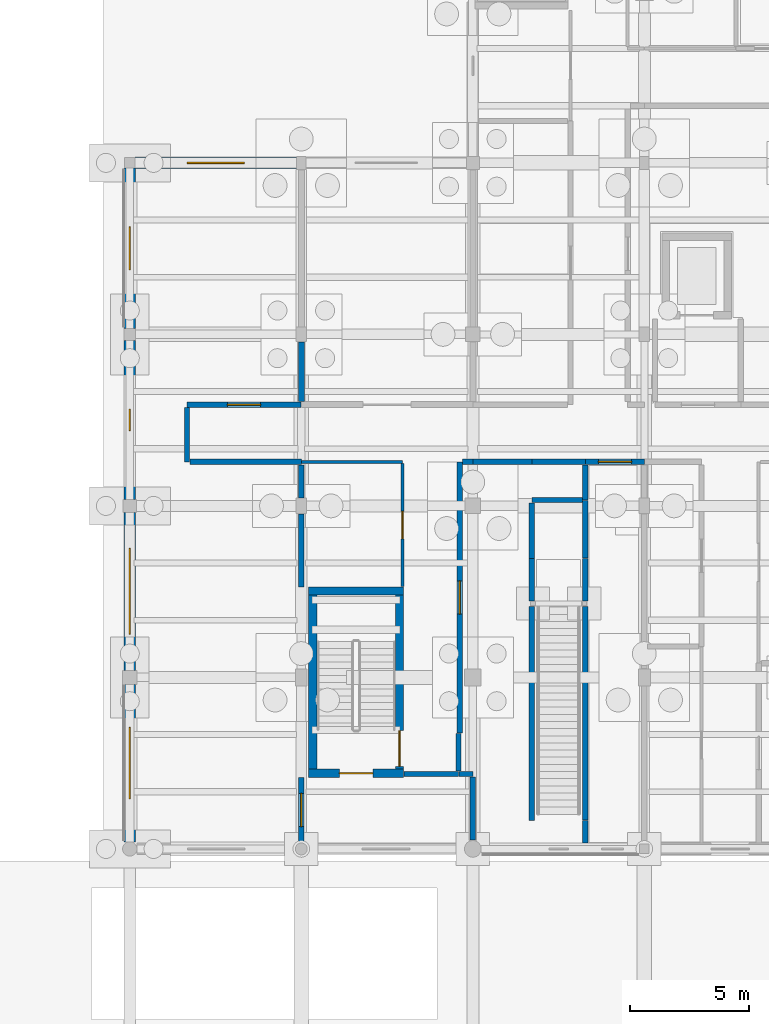
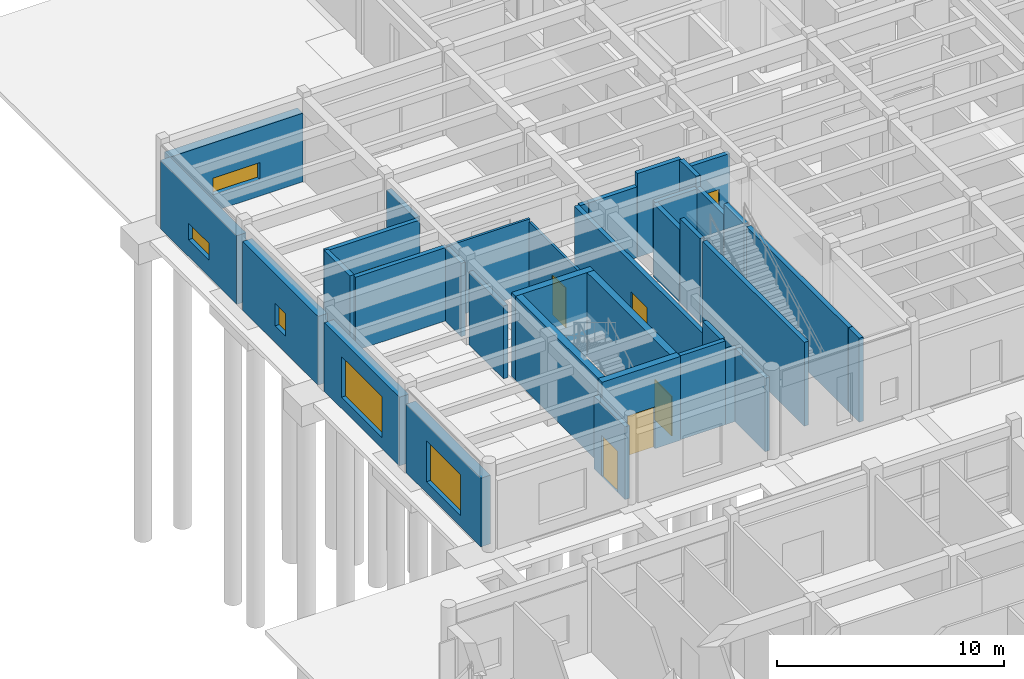
# One storey, part 105 of 143: 36 walls, 7 doors, 5 windows, 12 openings.
"""IFC4 building model written with IfcOpenShell, lengths in metres."""

from ifc_helpers import new_model, si_unit, direction, frame, frame_2d, origin, place, context, subcontext, project, spatial, rectangle, extrude, material, layer, layer_set, type_object, element, fill, save


model = new_model("IFC4")

# Units and contexts
model_context = context("Model", 3, precision=1e-05, world=origin(), true_north=direction((0.0, 1.0)))
body_context = subcontext(model_context, "Body", "Model", "MODEL_VIEW")
ifc_project = project(units=[si_unit("LENGTHUNIT", "METRE"), si_unit("AREAUNIT", "SQUARE_METRE"), si_unit("VOLUMEUNIT", "CUBIC_METRE"), si_unit("PLANEANGLEUNIT", "RADIAN"), si_unit("MASSUNIT", "GRAM", prefix="KILO")], contexts=[model_context])

# Site, building, storey
site_placement = place(None, origin())
site = spatial("IfcSite", under=ifc_project, at=site_placement, CompositionType="ELEMENT")
building_placement = place(site_placement, origin())
building = spatial("IfcBuilding", under=site, at=building_placement, Name="Steenspoor Specialist Clinic", CompositionType="ELEMENT")
storey_placement = place(building_placement, origin())
storey = spatial("IfcBuildingStorey", under=building, at=storey_placement, Name="L00", CompositionType="ELEMENT", Elevation=0.0)

# Wall, opening, window
ifc_material_1 = material(Name="Volcanic basalt ashlar masonry", Category="masonry")
ifc_layer_1 = layer(ifc_material_1, 0.47998046875)
ifc_layer_set_1 = layer_set([ifc_layer_1], Name="Volcanic basalt ashlar masonry")
wall_type_1 = type_object("IfcWallType", Name="W-BASALT-480", PredefinedType="SOLIDWALL", material=ifc_layer_set_1)
wall_1_placement = place(storey_placement, frame((15.60009765625, 65.449951171875, 0.0), z_axis=(0.0, 0.0, 1.0), x_axis=(0.0, 1.0, 0.0)))
wall_1 = element("IfcWall", 1, at=wall_1_placement, inside=storey, type_object=wall_type_1, Name="Exterior Brick Wall EW-V5-L00-0237", PredefinedType="SOLIDWALL", context=body_context, shape_type="SweptSolid", body=[
    extrude(rectangle(XDim=6.60009765625, YDim=0.47998046875, at=frame_2d((3.300048828125, 0.0))), origin(), (0.0, 0.0, 1.0), 3.699951171875),
])
opening_1_placement = place(wall_1_placement, frame((1.800048828125, 0.0, 0.60009765625)))
opening_1 = element("IfcOpeningElement", 2, at=opening_1_placement, cuts=wall_1, Name="Opening WN-19", PredefinedType="OPENING", context=body_context, shape_type="SweptSolid", body=[
    extrude(rectangle(XDim=3.0, YDim=2.199951171875, at=frame_2d((1.5, 1.10009765625))), frame((0.0, 0.25, 0.0), z_axis=(0.0, -1.0, 0.0), x_axis=(1.0, 0.0, 0.0)), (0.0, 0.0, 1.0), 0.5),
])
ifc_material_2 = material(Name="Thermally broken aluminium and low-emissivity glass", Category="aluminium")
window_type_1 = type_object("IfcWindowType", Name="WN-EXT-300X220", PartitioningType="SINGLE_PANEL", PredefinedType="WINDOW", material=ifc_material_2)
window_1_placement = place(opening_1_placement, origin())
window_1 = element("IfcWindow", 3, at=window_1_placement, inside=storey, type_object=window_type_1, Name="Window 0259", OverallHeight=2.199951171875, OverallWidth=3.0, PartitioningType="SINGLE_PANEL", PredefinedType="WINDOW", context=body_context, shape_type="SweptSolid", body=[
    extrude(rectangle(XDim=3.0, YDim=2.199951171875, at=frame_2d((1.5, 1.10009765625))), frame((0.0, 0.030029296875, 0.0), z_axis=(0.0, -1.0, 0.0), x_axis=(1.0, 0.0, 0.0)), (0.0, 0.0, 1.0), 0.06005859375),
])
fill(opening_1, window_1)

wall_2_placement = place(storey_placement, frame((15.60009765625, 72.64990234375, 0.0), z_axis=(0.0, 0.0, 1.0), x_axis=(0.0, 1.0, 0.0)))
wall_2 = element("IfcWall", 4, at=wall_2_placement, inside=storey, type_object=wall_type_1, Name="Exterior Brick Wall EW-V5-L00-0238", PredefinedType="SOLIDWALL", context=body_context, shape_type="SweptSolid", body=[
    extrude(rectangle(XDim=6.625, YDim=0.47998046875, at=frame_2d((3.3125, 0.0))), origin(), (0.0, 0.0, 1.0), 3.699951171875),
])
opening_2_placement = place(wall_2_placement, frame((1.512451171875, 0.0, 0.60009765625)))
opening_2 = element("IfcOpeningElement", 5, at=opening_2_placement, cuts=wall_2, Name="Opening WN-20", PredefinedType="OPENING", context=body_context, shape_type="SweptSolid", body=[
    extrude(rectangle(XDim=3.60009765625, YDim=2.199951171875, at=frame_2d((1.800048828125, 1.10009765625))), frame((0.0, 0.25, 0.0), z_axis=(0.0, -1.0, 0.0), x_axis=(1.0, 0.0, 0.0)), (0.0, 0.0, 1.0), 0.5),
])
window_type_2 = type_object("IfcWindowType", Name="WN-EXT-360X220", PartitioningType="SINGLE_PANEL", PredefinedType="WINDOW", material=ifc_material_2)
window_2_placement = place(opening_2_placement, origin())
window_2 = element("IfcWindow", 6, at=window_2_placement, inside=storey, type_object=window_type_2, Name="Window 0260", OverallHeight=2.199951171875, OverallWidth=3.60009765625, PartitioningType="SINGLE_PANEL", PredefinedType="WINDOW", context=body_context, shape_type="SweptSolid", body=[
    extrude(rectangle(XDim=3.60009765625, YDim=2.199951171875, at=frame_2d((1.800048828125, 1.10009765625))), frame((0.0, 0.030029296875, 0.0), z_axis=(0.0, -1.0, 0.0), x_axis=(1.0, 0.0, 0.0)), (0.0, 0.0, 1.0), 0.06005859375),
])
fill(opening_2, window_2)

wall_3_placement = place(storey_placement, frame((15.60009765625, 79.824951171875, 0.0), z_axis=(0.0, 0.0, 1.0), x_axis=(0.0, 1.0, 0.0)))
wall_3 = element("IfcWall", 7, at=wall_3_placement, inside=storey, type_object=wall_type_1, Name="Exterior Brick Wall EW-V5-L00-0239", PredefinedType="SOLIDWALL", context=body_context, shape_type="SweptSolid", body=[
    extrude(rectangle(XDim=6.675048828125, YDim=0.47998046875, at=frame_2d((3.33740234375, 0.0))), origin(), (0.0, 0.0, 1.0), 3.699951171875),
])
opening_3_placement = place(wall_3_placement, frame((2.887451171875, 0.0, 0.89990234375)))
opening_3 = element("IfcOpeningElement", 8, at=opening_3_placement, cuts=wall_3, Name="Opening WN-21", PredefinedType="OPENING", context=body_context, shape_type="SweptSolid", body=[
    extrude(rectangle(XDim=0.89990234375, YDim=1.199951171875, at=frame_2d((0.449951171875, 0.60009765625))), frame((0.0, 0.25, 0.0), z_axis=(0.0, -1.0, 0.0), x_axis=(1.0, 0.0, 0.0)), (0.0, 0.0, 1.0), 0.5),
])
window_type_3 = type_object("IfcWindowType", Name="WN-EXT-090X120", PartitioningType="SINGLE_PANEL", PredefinedType="WINDOW", material=ifc_material_2)
window_3_placement = place(opening_3_placement, origin())
window_3 = element("IfcWindow", 9, at=window_3_placement, inside=storey, type_object=window_type_3, Name="Window 0261", OverallHeight=1.199951171875, OverallWidth=0.89990234375, PartitioningType="SINGLE_PANEL", PredefinedType="WINDOW", context=body_context, shape_type="SweptSolid", body=[
    extrude(rectangle(XDim=0.89990234375, YDim=1.199951171875, at=frame_2d((0.449951171875, 0.60009765625))), frame((0.0, 0.030029296875, 0.0), z_axis=(0.0, -1.0, 0.0), x_axis=(1.0, 0.0, 0.0)), (0.0, 0.0, 1.0), 0.06005859375),
])
fill(opening_3, window_3)

wall_4_placement = place(storey_placement, frame((15.60009765625, 87.0, 0.0), z_axis=(0.0, 0.0, 1.0), x_axis=(0.0, 1.0, 0.0)))
wall_4 = element("IfcWall", 10, at=wall_4_placement, inside=storey, type_object=wall_type_1, Name="Exterior Brick Wall EW-V5-L00-0240", PredefinedType="SOLIDWALL", context=body_context, shape_type="SweptSolid", body=[
    extrude(rectangle(XDim=6.72509765625, YDim=0.47998046875, at=frame_2d((3.362548828125, 0.0))), origin(), (0.0, 0.0, 1.0), 3.699951171875),
])
opening_4_placement = place(wall_4_placement, frame((2.46240234375, 0.0, 0.89990234375)))
opening_4 = element("IfcOpeningElement", 11, at=opening_4_placement, cuts=wall_4, Name="Opening WN-22", PredefinedType="OPENING", context=body_context, shape_type="SweptSolid", body=[
    extrude(rectangle(XDim=1.800048828125, YDim=0.89990234375, at=frame_2d((0.89990234375, 0.449951171875))), frame((0.0, 0.25, 0.0), z_axis=(0.0, -1.0, 0.0), x_axis=(1.0, 0.0, 0.0)), (0.0, 0.0, 1.0), 0.5),
])
window_type_4 = type_object("IfcWindowType", Name="WN-EXT-180X090", PartitioningType="SINGLE_PANEL", PredefinedType="WINDOW", material=ifc_material_2)
window_4_placement = place(opening_4_placement, origin())
window_4 = element("IfcWindow", 12, at=window_4_placement, inside=storey, type_object=window_type_4, Name="Window 0262", OverallHeight=0.89990234375, OverallWidth=1.800048828125, PartitioningType="SINGLE_PANEL", PredefinedType="WINDOW", context=body_context, shape_type="SweptSolid", body=[
    extrude(rectangle(XDim=1.800048828125, YDim=0.89990234375, at=frame_2d((0.89990234375, 0.449951171875))), frame((0.0, 0.030029296875, 0.0), z_axis=(0.0, -1.0, 0.0), x_axis=(1.0, 0.0, 0.0)), (0.0, 0.0, 1.0), 0.06005859375),
])
fill(opening_4, window_4)

wall_5_placement = place(storey_placement, frame((15.824951171875, 93.949951171875, 0.0), z_axis=(0.0, 0.0, 1.0), x_axis=(1.0, 0.0, 0.0)))
wall_5 = element("IfcWall", 13, at=wall_5_placement, inside=storey, type_object=wall_type_1, Name="Exterior Brick Wall EW-V5-L00-0241", PredefinedType="SOLIDWALL", context=body_context, shape_type="SweptSolid", body=[
    extrude(rectangle(XDim=6.775146484375, YDim=0.47998046875, at=frame_2d((3.3876953125, 0.0))), origin(), (0.0, 0.0, 1.0), 3.699951171875),
])
opening_5_placement = place(wall_5_placement, frame((2.1875, 0.0, 0.89990234375)))
opening_5 = element("IfcOpeningElement", 14, at=opening_5_placement, cuts=wall_5, Name="Opening WN-23", PredefinedType="OPENING", context=body_context, shape_type="SweptSolid", body=[
    extrude(rectangle(XDim=2.39990234375, YDim=0.89990234375, at=frame_2d((1.199951171875, 0.449951171875))), frame((0.0, 0.25, 0.0), z_axis=(0.0, -1.0, 0.0), x_axis=(1.0, 0.0, 0.0)), (0.0, 0.0, 1.0), 0.5),
])
window_type_5 = type_object("IfcWindowType", Name="WN-EXT-240X090", PartitioningType="SINGLE_PANEL", PredefinedType="WINDOW", material=ifc_material_2)
window_5_placement = place(opening_5_placement, origin())
window_5 = element("IfcWindow", 15, at=window_5_placement, inside=storey, type_object=window_type_5, Name="Window 0263", OverallHeight=0.89990234375, OverallWidth=2.39990234375, PartitioningType="SINGLE_PANEL", PredefinedType="WINDOW", context=body_context, shape_type="SweptSolid", body=[
    extrude(rectangle(XDim=2.39990234375, YDim=0.89990234375, at=frame_2d((1.199951171875, 0.449951171875))), frame((0.0, 0.030029296875, 0.0), z_axis=(0.0, -1.0, 0.0), x_axis=(1.0, 0.0, 0.0)), (0.0, 0.0, 1.0), 0.06005859375),
])
fill(opening_5, window_5)

# Wall, opening, door
ifc_material_3 = material(Name="Fire-rated clay blockwork masonry", Category="masonry")
ifc_layer_2 = layer(ifc_material_3, 0.219970703125)
ifc_layer_set_2 = layer_set([ifc_layer_2], Name="Fire-rated clay blockwork masonry")
wall_type_2 = type_object("IfcWallType", Name="W-FIRE-220", PredefinedType="PARTITIONING", material=ifc_layer_set_2)
wall_6_placement = place(storey_placement, frame((18.0, 83.800048828125, 0.0), z_axis=(0.0, 0.0, 1.0), x_axis=(1.0, 0.0, 0.0)))
wall_6 = element("IfcWall", 16, at=wall_6_placement, inside=storey, type_object=wall_type_2, Name="Interior Partition IW-V5-L00-0068", PredefinedType="PARTITIONING", context=body_context, shape_type="SweptSolid", body=[
    extrude(rectangle(XDim=4.784912109375, YDim=0.219970703125, at=frame_2d((2.392578125, 0.0))), origin(), (0.0, 0.0, 1.0), 3.955078125),
])
opening_6_placement = place(wall_6_placement, frame((1.6923828125, 0.0, 0.0)))
opening_6 = element("IfcOpeningElement", 17, at=opening_6_placement, cuts=wall_6, Name="Opening D0323", PredefinedType="OPENING", context=body_context, shape_type="SweptSolid", body=[
    extrude(rectangle(XDim=1.39990234375, YDim=2.199951171875, at=frame_2d((0.699951171875, 1.10009765625))), frame((0.0, 0.1201171875, 0.0), z_axis=(0.0, -1.0, 0.0), x_axis=(1.0, 0.0, 0.0)), (0.0, 0.0, 1.0), 0.239990234375),
])
ifc_material_4 = material(Name="Fire-rated clinical laminate door", Category="steel")
door_type_1 = type_object("IfcDoorType", Name="DT-LAB-140X220", OperationType="NOTDEFINED", PredefinedType="DOOR", material=ifc_material_4)
door_1_placement = place(opening_6_placement, origin())
door_1 = element("IfcDoor", 18, at=door_1_placement, inside=storey, type_object=door_type_1, Name="Clinical Door D0323", OperationType="SINGLE_SWING_RIGHT", OverallHeight=2.199951171875, OverallWidth=1.39990234375, PredefinedType="DOOR", context=body_context, shape_type="SweptSolid", body=[
    extrude(rectangle(XDim=1.39990234375, YDim=2.199951171875, at=frame_2d((0.699951171875, 1.10009765625))), frame((0.0, 0.02490234375, 0.0), z_axis=(0.0, -1.0, 0.0), x_axis=(1.0, 0.0, 0.0)), (0.0, 0.0, 1.0), 0.050048828125),
])
fill(opening_6, door_1)

# Walls
wall_7_placement = place(storey_placement, frame((18.0, 81.39990234375, 0.0), z_axis=(0.0, 0.0, 1.0), x_axis=(0.0, 1.0, 0.0)))
element("IfcWall", 19, at=wall_7_placement, inside=storey, type_object=wall_type_2, Name="Interior Partition IW-V5-L00-0069", PredefinedType="PARTITIONING", context=body_context, shape_type="SweptSolid", body=[
    extrude(rectangle(XDim=2.275146484375, YDim=0.219970703125, at=frame_2d((1.1376953125, 0.0))), origin(), (0.0, 0.0, 1.0), 4.044921875),
])
wall_8_placement = place(storey_placement, frame((18.125, 81.39990234375, 0.0), z_axis=(0.0, 0.0, 1.0), x_axis=(1.0, 0.0, 0.0)))
element("IfcWall", 20, at=wall_8_placement, inside=storey, type_object=wall_type_2, Name="Interior Partition IW-V5-L00-0070", PredefinedType="PARTITIONING", context=body_context, shape_type="SweptSolid", body=[
    extrude(rectangle(XDim=4.675048828125, YDim=0.219970703125, at=frame_2d((2.33740234375, 0.0))), origin(), (0.0, 0.0, 1.0), 3.955078125),
])
wall_9_placement = place(storey_placement, frame((27.114990234375, 68.300048828125, 0.0), z_axis=(0.0, 0.0, 1.0), x_axis=(1.0, 0.0, 0.0)))
element("IfcWall", 21, at=wall_9_placement, inside=storey, type_object=wall_type_2, Name="Interior Partition IW-V5-L00-0071", PredefinedType="PARTITIONING", context=body_context, shape_type="SweptSolid", body=[
    extrude(rectangle(XDim=2.284912109375, YDim=0.219970703125, at=frame_2d((1.142578125, 0.0))), origin(), (0.0, 0.0, 1.0), 4.52001953125),
])
wall_10_placement = place(storey_placement, frame((29.4150390625, 68.300048828125, 0.0), z_axis=(0.0, 0.0, 1.0), x_axis=(1.0, 0.0, 0.0)))
element("IfcWall", 22, at=wall_10_placement, inside=storey, type_object=wall_type_2, Name="Interior Partition IW-V5-L00-0072", PredefinedType="PARTITIONING", context=body_context, shape_type="SweptSolid", body=[
    extrude(rectangle(XDim=0.5849609375, YDim=0.219970703125, at=frame_2d((0.29248046875, 0.0))), origin(), (0.0, 0.0, 1.0), 3.955078125),
])
wall_11_placement = place(storey_placement, frame((29.39990234375, 68.425048828125, 0.0), z_axis=(0.0, 0.0, 1.0), x_axis=(0.0, 1.0, 0.0)))
element("IfcWall", 23, at=wall_11_placement, inside=storey, type_object=wall_type_2, Name="Interior Partition IW-V5-L00-0073", PredefinedType="PARTITIONING", context=body_context, shape_type="SweptSolid", body=[
    extrude(rectangle(XDim=1.574951171875, YDim=0.219970703125, at=frame_2d((0.78759765625, 0.0))), origin(), (0.0, 0.0, 1.0), 4.52001953125),
])

# Wall, opening, door
wall_12_placement = place(storey_placement, frame((29.449951171875, 70.014892578125, 0.0), z_axis=(0.0, 0.0, 1.0), x_axis=(0.0, 1.0, 0.0)))
wall_12 = element("IfcWall", 24, at=wall_12_placement, inside=storey, type_object=wall_type_2, Name="Interior Partition IW-V5-L00-0074", PredefinedType="PARTITIONING", context=body_context, shape_type="SweptSolid", body=[
    extrude(rectangle(XDim=11.385009765625, YDim=0.219970703125, at=frame_2d((5.6923828125, 0.0))), origin(), (0.0, 0.0, 1.0), 3.804931640625),
])
opening_7_placement = place(wall_12_placement, frame((4.992431640625, 0.0, 0.0)))
opening_7 = element("IfcOpeningElement", 25, at=opening_7_placement, cuts=wall_12, Name="Opening D0325", PredefinedType="OPENING", context=body_context, shape_type="SweptSolid", body=[
    extrude(rectangle(XDim=1.39990234375, YDim=2.199951171875, at=frame_2d((0.699951171875, 1.10009765625))), frame((0.0, 0.1201171875, 0.0), z_axis=(0.0, -1.0, 0.0), x_axis=(1.0, 0.0, 0.0)), (0.0, 0.0, 1.0), 0.239990234375),
])
door_2_placement = place(opening_7_placement, origin())
door_2 = element("IfcDoor", 26, at=door_2_placement, inside=storey, type_object=door_type_1, Name="Clinical Door D0325", OperationType="SINGLE_SWING_RIGHT", OverallHeight=2.199951171875, OverallWidth=1.39990234375, PredefinedType="DOOR", context=body_context, shape_type="SweptSolid", body=[
    extrude(rectangle(XDim=1.39990234375, YDim=2.199951171875, at=frame_2d((0.699951171875, 1.10009765625))), frame((0.0, 0.02490234375, 0.0), z_axis=(0.0, -1.0, 0.0), x_axis=(1.0, 0.0, 0.0)), (0.0, 0.0, 1.0), 0.050048828125),
])
fill(opening_7, door_2)

# Walls
wall_13_placement = place(storey_placement, frame((29.574951171875, 81.39990234375, 0.0), z_axis=(0.0, 0.0, 1.0), x_axis=(1.0, 0.0, 0.0)))
element("IfcWall", 27, at=wall_13_placement, inside=storey, type_object=wall_type_2, Name="Interior Partition IW-V5-L00-0075", PredefinedType="PARTITIONING", context=body_context, shape_type="SweptSolid", body=[
    extrude(rectangle(XDim=0.425048828125, YDim=0.219970703125, at=frame_2d((0.21240234375, 0.0))), origin(), (0.0, 0.0, 1.0), 3.804931640625),
])
wall_14_placement = place(storey_placement, frame((30.014892578125, 81.39990234375, 0.0), z_axis=(0.0, 0.0, 1.0), x_axis=(1.0, 0.0, 0.0)))
element("IfcWall", 28, at=wall_14_placement, inside=storey, type_object=wall_type_2, Name="Interior Partition IW-V5-L00-0076", PredefinedType="PARTITIONING", context=body_context, shape_type="SweptSolid", body=[
    extrude(rectangle(XDim=2.460205078125, YDim=0.219970703125, at=frame_2d((1.22998046875, 0.0))), origin(), (0.0, 0.0, 1.0), 3.804931640625),
])
wall_15_placement = place(storey_placement, frame((32.489990234375, 81.39990234375, 0.0), z_axis=(0.0, 0.0, 1.0), x_axis=(1.0, 0.0, 0.0)))
element("IfcWall", 29, at=wall_15_placement, inside=storey, type_object=wall_type_2, Name="Interior Partition IW-V5-L00-0077", PredefinedType="PARTITIONING", context=body_context, shape_type="SweptSolid", body=[
    extrude(rectangle(XDim=2.235107421875, YDim=0.219970703125, at=frame_2d((1.11767578125, 0.0))), origin(), (0.0, 0.0, 1.0), 4.52001953125),
])

# Wall, opening, door
wall_16_placement = place(storey_placement, frame((34.739990234375, 81.39990234375, 0.0), z_axis=(0.0, 0.0, 1.0), x_axis=(1.0, 0.0, 0.0)))
wall_16 = element("IfcWall", 30, at=wall_16_placement, inside=storey, type_object=wall_type_2, Name="Interior Partition IW-V5-L00-0078", PredefinedType="PARTITIONING", context=body_context, shape_type="SweptSolid", body=[
    extrude(rectangle(XDim=2.4599609375, YDim=0.219970703125, at=frame_2d((1.22998046875, 0.0))), origin(), (0.0, 0.0, 1.0), 3.955078125),
])
opening_8_placement = place(wall_16_placement, frame((0.530029296875, 0.0, 0.0)))
opening_8 = element("IfcOpeningElement", 31, at=opening_8_placement, cuts=wall_16, Name="Opening D0326", PredefinedType="OPENING", context=body_context, shape_type="SweptSolid", body=[
    extrude(rectangle(XDim=1.39990234375, YDim=2.199951171875, at=frame_2d((0.699951171875, 1.10009765625))), frame((0.0, 0.1201171875, 0.0), z_axis=(0.0, -1.0, 0.0), x_axis=(1.0, 0.0, 0.0)), (0.0, 0.0, 1.0), 0.239990234375),
])
door_3_placement = place(opening_8_placement, origin())
door_3 = element("IfcDoor", 32, at=door_3_placement, inside=storey, type_object=door_type_1, Name="Clinical Door D0326", OperationType="SINGLE_SWING_LEFT", OverallHeight=2.199951171875, OverallWidth=1.39990234375, PredefinedType="DOOR", context=body_context, shape_type="SweptSolid", body=[
    extrude(rectangle(XDim=1.39990234375, YDim=2.199951171875, at=frame_2d((0.699951171875, 1.10009765625))), frame((0.0, 0.02490234375, 0.0), z_axis=(0.0, -1.0, 0.0), x_axis=(1.0, 0.0, 0.0)), (0.0, 0.0, 1.0), 0.050048828125),
])
fill(opening_8, door_3)

wall_17_placement = place(storey_placement, frame((22.800048828125, 65.4150390625, 0.0), z_axis=(0.0, 0.0, 1.0), x_axis=(0.0, 1.0, 0.0)))
wall_17 = element("IfcWall", 33, at=wall_17_placement, inside=storey, type_object=wall_type_2, Name="Interior Partition IW-V5-L00-0434", PredefinedType="PARTITIONING", context=body_context, shape_type="SweptSolid", body=[
    extrude(rectangle(XDim=2.73486328125, YDim=0.219970703125, at=frame_2d((1.367431640625, 0.0))), origin(), (0.0, 0.0, 1.0), 3.925048828125),
])
opening_9_placement = place(wall_17_placement, frame((0.66748046875, 0.0, 0.0)))
opening_9 = element("IfcOpeningElement", 34, at=opening_9_placement, cuts=wall_17, Name="Opening D0324", PredefinedType="OPENING", context=body_context, shape_type="SweptSolid", body=[
    extrude(rectangle(XDim=1.39990234375, YDim=2.199951171875, at=frame_2d((0.699951171875, 1.10009765625))), frame((0.0, 0.1201171875, 0.0), z_axis=(0.0, -1.0, 0.0), x_axis=(1.0, 0.0, 0.0)), (0.0, 0.0, 1.0), 0.239990234375),
])
door_4_placement = place(opening_9_placement, origin())
door_4 = element("IfcDoor", 35, at=door_4_placement, inside=storey, type_object=door_type_1, Name="Clinical Door D0324", OperationType="SINGLE_SWING_LEFT", OverallHeight=2.199951171875, OverallWidth=1.39990234375, PredefinedType="DOOR", context=body_context, shape_type="SweptSolid", body=[
    extrude(rectangle(XDim=1.39990234375, YDim=2.199951171875, at=frame_2d((0.699951171875, 1.10009765625))), frame((0.0, 0.02490234375, 0.0), z_axis=(0.0, -1.0, 0.0), x_axis=(1.0, 0.0, 0.0)), (0.0, 0.0, 1.0), 0.050048828125),
])
fill(opening_9, door_4)

# Walls
wall_18_placement = place(storey_placement, frame((22.800048828125, 76.14990234375, 0.0), z_axis=(0.0, 0.0, 1.0), x_axis=(0.0, 1.0, 0.0)))
element("IfcWall", 36, at=wall_18_placement, inside=storey, type_object=wall_type_2, Name="Interior Partition IW-V5-L00-0435", PredefinedType="PARTITIONING", context=body_context, shape_type="SweptSolid", body=[
    extrude(rectangle(XDim=3.06005859375, YDim=0.219970703125, at=frame_2d((1.530029296875, 0.0))), origin(), (0.0, 0.0, 1.0), 3.925048828125),
])
wall_19_placement = place(storey_placement, frame((22.800048828125, 79.889892578125, 0.0), z_axis=(0.0, 0.0, 1.0), x_axis=(0.0, 1.0, 0.0)))
element("IfcWall", 37, at=wall_19_placement, inside=storey, type_object=wall_type_2, Name="Interior Partition IW-V5-L00-0436", PredefinedType="PARTITIONING", context=body_context, shape_type="SweptSolid", body=[
    extrude(rectangle(XDim=1.385009765625, YDim=0.219970703125, at=frame_2d((0.6923828125, 0.0))), origin(), (0.0, 0.0, 1.0), 3.955078125),
])
wall_20_placement = place(storey_placement, frame((30.0, 65.514892578125, 0.0), z_axis=(0.0, 0.0, 1.0), x_axis=(0.0, 1.0, 0.0)))
element("IfcWall", 38, at=wall_20_placement, inside=storey, type_object=wall_type_2, Name="Interior Partition IW-V5-L00-0437", PredefinedType="PARTITIONING", context=body_context, shape_type="SweptSolid", body=[
    extrude(rectangle(XDim=2.66015625, YDim=0.219970703125, at=frame_2d((1.330078125, 0.0))), origin(), (0.0, 0.0, 1.0), 3.955078125),
])
wall_21_placement = place(storey_placement, frame((34.72509765625, 79.800048828125, 0.0), z_axis=(0.0, 0.0, 1.0), x_axis=(0.0, 1.0, 0.0)))
element("IfcWall", 39, at=wall_21_placement, inside=storey, type_object=wall_type_2, Name="Interior Partition IW-V5-L00-0438", PredefinedType="PARTITIONING", context=body_context, shape_type="SweptSolid", body=[
    extrude(rectangle(XDim=1.474853515625, YDim=0.219970703125, at=frame_2d((0.7373046875, 0.0))), origin(), (0.0, 0.0, 1.0), 4.52001953125),
])
wall_22_placement = place(storey_placement, frame((32.47509765625, 79.800048828125, 0.0), z_axis=(0.0, 0.0, 1.0), x_axis=(1.0, 0.0, 0.0)))
element("IfcWall", 40, at=wall_22_placement, inside=storey, type_object=wall_type_2, Name="Interior Partition IW-V5-L00-0439", PredefinedType="PARTITIONING", context=body_context, shape_type="SweptSolid", body=[
    extrude(rectangle(XDim=2.125, YDim=0.219970703125, at=frame_2d((1.0625, 0.0))), origin(), (0.0, 0.0, 1.0), 3.925048828125),
])
wall_23_placement = place(storey_placement, frame((32.47509765625, 77.35009765625, 0.0), z_axis=(0.0, 0.0, 1.0), x_axis=(0.0, 1.0, 0.0)))
element("IfcWall", 41, at=wall_23_placement, inside=storey, type_object=wall_type_2, Name="Interior Partition IW-V5-L00-0440", PredefinedType="PARTITIONING", context=body_context, shape_type="SweptSolid", body=[
    extrude(rectangle(XDim=2.324951171875, YDim=0.219970703125, at=frame_2d((1.16259765625, 0.0))), origin(), (0.0, 0.0, 1.0), 3.925048828125),
])
wall_24_placement = place(storey_placement, frame((32.47509765625, 66.35009765625, 0.0), z_axis=(0.0, 0.0, 1.0), x_axis=(0.0, 1.0, 0.0)))
element("IfcWall", 42, at=wall_24_placement, inside=storey, type_object=wall_type_2, Name="Interior Partition IW-V5-L00-0441", PredefinedType="PARTITIONING", context=body_context, shape_type="SweptSolid", body=[
    extrude(rectangle(XDim=8.98291015625, YDim=0.219970703125, at=frame_2d((4.491455078125, 0.0))), origin(), (0.0, 0.0, 1.0), 4.52001953125),
])
wall_25_placement = place(storey_placement, frame((32.47509765625, 75.56689453125, 0.0), z_axis=(0.0, 0.0, 1.0), x_axis=(0.0, 1.0, 0.0)))
element("IfcWall", 43, at=wall_25_placement, inside=storey, type_object=wall_type_2, Name="Interior Partition IW-V5-L00-0442", PredefinedType="PARTITIONING", context=body_context, shape_type="SweptSolid", body=[
    extrude(rectangle(XDim=1.76806640625, YDim=0.219970703125, at=frame_2d((0.884033203125, 0.0))), origin(), (0.0, 0.0, 1.0), 4.52001953125),
])
wall_26_placement = place(storey_placement, frame((34.72509765625, 65.405029296875, 0.0), z_axis=(0.0, 0.0, 1.0), x_axis=(0.0, 1.0, 0.0)))
element("IfcWall", 44, at=wall_26_placement, inside=storey, type_object=wall_type_2, Name="Interior Partition IW-V5-L00-0443", PredefinedType="PARTITIONING", context=body_context, shape_type="SweptSolid", body=[
    extrude(rectangle(XDim=0.945068359375, YDim=0.219970703125, at=frame_2d((0.47265625, 0.0))), origin(), (0.0, 0.0, 1.0), 4.52001953125),
])
wall_27_placement = place(storey_placement, frame((34.72509765625, 66.364990234375, 0.0), z_axis=(0.0, 0.0, 1.0), x_axis=(0.0, 1.0, 0.0)))
element("IfcWall", 45, at=wall_27_placement, inside=storey, type_object=wall_type_2, Name="Interior Partition IW-V5-L00-0444", PredefinedType="PARTITIONING", context=body_context, shape_type="SweptSolid", body=[
    extrude(rectangle(XDim=8.968017578125, YDim=0.219970703125, at=frame_2d((4.48388671875, 0.0))), origin(), (0.0, 0.0, 1.0), 4.52001953125),
])
wall_28_placement = place(storey_placement, frame((34.72509765625, 75.56689453125, 0.0), z_axis=(0.0, 0.0, 1.0), x_axis=(0.0, 1.0, 0.0)))
element("IfcWall", 46, at=wall_28_placement, inside=storey, type_object=wall_type_2, Name="Interior Partition IW-V5-L00-0445", PredefinedType="PARTITIONING", context=body_context, shape_type="SweptSolid", body=[
    extrude(rectangle(XDim=1.783203125, YDim=0.219970703125, at=frame_2d((0.8916015625, 0.0))), origin(), (0.0, 0.0, 1.0), 4.52001953125),
])
wall_29_placement = place(storey_placement, frame((34.72509765625, 77.364990234375, 0.0), z_axis=(0.0, 0.0, 1.0), x_axis=(0.0, 1.0, 0.0)))
element("IfcWall", 47, at=wall_29_placement, inside=storey, type_object=wall_type_2, Name="Interior Partition IW-V5-L00-0446", PredefinedType="PARTITIONING", context=body_context, shape_type="SweptSolid", body=[
    extrude(rectangle(XDim=2.419921875, YDim=0.219970703125, at=frame_2d((1.2099609375, 0.0))), origin(), (0.0, 0.0, 1.0), 3.925048828125),
])
ifc_material_5 = material(Name="Gypsum studio partition board", Category="gypsum")
ifc_layer_3 = layer(ifc_material_5, 0.1201171875)
ifc_layer_set_3 = layer_set([ifc_layer_3], Name="Gypsum studio partition board")
wall_type_3 = type_object("IfcWallType", Name="W-PART-120", PredefinedType="PARTITIONING", material=ifc_layer_set_3)
wall_30_placement = place(storey_placement, frame((22.81494140625, 81.39990234375, 0.0), z_axis=(0.0, 0.0, 1.0), x_axis=(1.0, 0.0, 0.0)))
element("IfcWall", 48, at=wall_30_placement, inside=storey, type_object=wall_type_3, Name="Interior Partition IW-V5-L00-0368", PredefinedType="PARTITIONING", context=body_context, shape_type="SweptSolid", body=[
    extrude(rectangle(XDim=4.235107421875, YDim=0.1201171875, at=frame_2d((2.11767578125, 0.0))), origin(), (0.0, 0.0, 1.0), 3.955078125),
])

# Wall, opening, door
wall_31_placement = place(storey_placement, frame((27.050048828125, 76.1650390625, 0.0), z_axis=(0.0, 0.0, 1.0), x_axis=(0.0, 1.0, 0.0)))
wall_31 = element("IfcWall", 49, at=wall_31_placement, inside=storey, type_object=wall_type_3, Name="Interior Partition IW-V5-L00-0369", PredefinedType="PARTITIONING", context=body_context, shape_type="SweptSolid", body=[
    extrude(rectangle(XDim=5.159912109375, YDim=0.1201171875, at=frame_2d((2.580078125, 0.0))), origin(), (0.0, 0.0, 1.0), 3.804931640625),
])
opening_10_placement = place(wall_31_placement, frame((2.0048828125, 0.0, 0.0)))
opening_10 = element("IfcOpeningElement", 50, at=opening_10_placement, cuts=wall_31, Name="Opening D0333", PredefinedType="OPENING", context=body_context, shape_type="SweptSolid", body=[
    extrude(rectangle(XDim=1.14990234375, YDim=2.14990234375, at=frame_2d((0.574951171875, 1.074951171875))), frame((0.0, 0.070068359375, 0.0), z_axis=(0.0, -1.0, 0.0), x_axis=(1.0, 0.0, 0.0)), (0.0, 0.0, 1.0), 0.14013671875),
])
ifc_material_6 = material(Name="Solid-core hardwood clinical door", Category="wood")
door_type_2 = type_object("IfcDoorType", Name="DT-CONS-115X215", OperationType="NOTDEFINED", PredefinedType="DOOR", material=ifc_material_6)
door_5_placement = place(opening_10_placement, origin())
door_5 = element("IfcDoor", 51, at=door_5_placement, inside=storey, type_object=door_type_2, Name="Clinical Door D0333", OperationType="SINGLE_SWING_RIGHT", OverallHeight=2.14990234375, OverallWidth=1.14990234375, PredefinedType="DOOR", context=body_context, shape_type="SweptSolid", body=[
    extrude(rectangle(XDim=1.14990234375, YDim=2.14990234375, at=frame_2d((0.574951171875, 1.074951171875))), frame((0.0, 0.02490234375, 0.0), z_axis=(0.0, -1.0, 0.0), x_axis=(1.0, 0.0, 0.0)), (0.0, 0.0, 1.0), 0.050048828125),
])
fill(opening_10, door_5)

# Wall
ifc_layer_4 = layer(ifc_material_3, 0.25)
ifc_layer_set_4 = layer_set([ifc_layer_4], Name="Fire-rated clay blockwork masonry")
wall_type_4 = type_object("IfcWallType", Name="W-SHAFT-250", PredefinedType="PARTITIONING", material=ifc_layer_set_4)
wall_32_placement = place(storey_placement, frame((22.800048828125, 83.93994140625, 0.0), z_axis=(0.0, 0.0, 1.0), x_axis=(0.0, 1.0, 0.0)))
element("IfcWall", 52, at=wall_32_placement, inside=storey, type_object=wall_type_4, Name="Interior Partition IW-V5-L00-0415", PredefinedType="PARTITIONING", context=body_context, shape_type="SweptSolid", body=[
    extrude(rectangle(XDim=2.4951171875, YDim=0.25, at=frame_2d((1.24755859375, 0.0))), origin(), (0.0, 0.0, 1.0), 3.955078125),
])

# Wall, opening, door
ifc_material_7 = material(Name="Concrete C40/50", Category="concrete")
ifc_layer_5 = layer(ifc_material_7, 0.35009765625)
ifc_layer_set_5 = layer_set([ifc_layer_5], Name="Concrete C40/50")
wall_type_5 = type_object("IfcWallType", Name="W-SW-350", PredefinedType="SHEAR", material=ifc_layer_set_5)
wall_33_placement = place(storey_placement, frame((27.10009765625, 68.324951171875, 0.0), z_axis=(0.0, 0.0, 1.0), x_axis=(-1.0, 0.0, 0.0)))
wall_33 = element("IfcWall", 53, at=wall_33_placement, inside=storey, type_object=wall_type_5, Name="Core Shear Wall SW-ST-V5B-L00-S", PredefinedType="SHEAR", context=body_context, shape_type="SweptSolid", body=[
    extrude(rectangle(XDim=4.0, YDim=0.35009765625, at=frame_2d((2.0, 0.0))), origin(), (0.0, 0.0, 1.0), 4.52001953125),
])
opening_11_placement = place(wall_33_placement, frame((1.300048828125, 0.0, 0.0)))
opening_11 = element("IfcOpeningElement", 54, at=opening_11_placement, cuts=wall_33, Name="Opening ED09", PredefinedType="OPENING", context=body_context, shape_type="SweptSolid", body=[
    extrude(rectangle(XDim=1.39990234375, YDim=2.25, at=frame_2d((0.699951171875, 1.125))), frame((0.0, 0.18505859375, 0.0), z_axis=(0.0, -1.0, 0.0), x_axis=(1.0, 0.0, 0.0)), (0.0, 0.0, 1.0), 0.3701171875),
])
ifc_material_8 = material(Name="Painted galvanised steel door", Category="steel")
door_type_3 = type_object("IfcDoorType", Name="DT-EXIT-140X225", OperationType="NOTDEFINED", PredefinedType="DOOR", material=ifc_material_8)
door_6_placement = place(opening_11_placement, origin())
door_6 = element("IfcDoor", 55, at=door_6_placement, inside=storey, type_object=door_type_3, Name="Exit Stair Discharge Door ED09", OperationType="SINGLE_SWING_LEFT", OverallHeight=2.25, OverallWidth=1.39990234375, PredefinedType="DOOR", context=body_context, shape_type="SweptSolid", body=[
    extrude(rectangle(XDim=1.39990234375, YDim=2.25, at=frame_2d((0.699951171875, 1.125))), frame((0.0, 0.02490234375, 0.0), z_axis=(0.0, -1.0, 0.0), x_axis=(1.0, 0.0, 0.0)), (0.0, 0.0, 1.0), 0.050048828125),
])
fill(opening_11, door_6)

# Walls
wall_34_placement = place(storey_placement, frame((23.10009765625, 75.97509765625, 0.0), z_axis=(0.0, 0.0, 1.0), x_axis=(1.0, 0.0, 0.0)))
element("IfcWall", 56, at=wall_34_placement, inside=storey, type_object=wall_type_5, Name="Core Shear Wall SW-ST-V5B-L00-N", PredefinedType="SHEAR", context=body_context, shape_type="SweptSolid", body=[
    extrude(rectangle(XDim=4.0, YDim=0.35009765625, at=frame_2d((2.0, 0.0))), origin(), (0.0, 0.0, 1.0), 4.52001953125),
])
wall_35_placement = place(storey_placement, frame((23.27490234375, 68.5, 0.0), z_axis=(0.0, 0.0, 1.0), x_axis=(0.0, 1.0, 0.0)))
element("IfcWall", 57, at=wall_35_placement, inside=storey, type_object=wall_type_5, Name="Core Shear Wall SW-ST-V5B-L00-W", PredefinedType="SHEAR", context=body_context, shape_type="SweptSolid", body=[
    extrude(rectangle(XDim=7.300048828125, YDim=0.35009765625, at=frame_2d((3.64990234375, 0.0))), origin(), (0.0, 0.0, 1.0), 4.52001953125),
])

# Wall, opening, door
wall_36_placement = place(storey_placement, frame((26.925048828125, 68.5, 0.0), z_axis=(0.0, 0.0, 1.0), x_axis=(0.0, 1.0, 0.0)))
wall_36 = element("IfcWall", 58, at=wall_36_placement, inside=storey, type_object=wall_type_5, Name="Core Shear Wall SW-ST-V5B-L00-E", PredefinedType="SHEAR", context=body_context, shape_type="SweptSolid", body=[
    extrude(rectangle(XDim=7.300048828125, YDim=0.35009765625, at=frame_2d((3.64990234375, 0.0))), origin(), (0.0, 0.0, 1.0), 4.52001953125),
])
opening_12_placement = place(wall_36_placement, frame((0.1201171875, 0.0, 0.0)))
opening_12 = element("IfcOpeningElement", 59, at=opening_12_placement, cuts=wall_36, Name="Opening SD031", PredefinedType="OPENING", context=body_context, shape_type="SweptSolid", body=[
    extrude(rectangle(XDim=1.5, YDim=2.14990234375, at=frame_2d((0.75, 1.074951171875))), frame((0.0, 0.18505859375, 0.0), z_axis=(0.0, -1.0, 0.0), x_axis=(1.0, 0.0, 0.0)), (0.0, 0.0, 1.0), 0.3701171875),
])
ifc_material_9 = material(Name="Fire-rated steel acoustic door", Category="steel")
door_type_4 = type_object("IfcDoorType", Name="DT-STAIR-150X215", OperationType="NOTDEFINED", PredefinedType="DOOR", material=ifc_material_9)
door_7_placement = place(opening_12_placement, origin())
door_7 = element("IfcDoor", 60, at=door_7_placement, inside=storey, type_object=door_type_4, Name="Exit Stair Fire Door SD031", OperationType="SINGLE_SWING_RIGHT", OverallHeight=2.14990234375, OverallWidth=1.5, PredefinedType="DOOR", context=body_context, shape_type="SweptSolid", body=[
    extrude(rectangle(XDim=1.5, YDim=2.14990234375, at=frame_2d((0.75, 1.074951171875))), frame((0.0, 0.02490234375, 0.0), z_axis=(0.0, -1.0, 0.0), x_axis=(1.0, 0.0, 0.0)), (0.0, 0.0, 1.0), 0.050048828125),
])
fill(opening_12, door_7)

save(model, "model.ifc")
